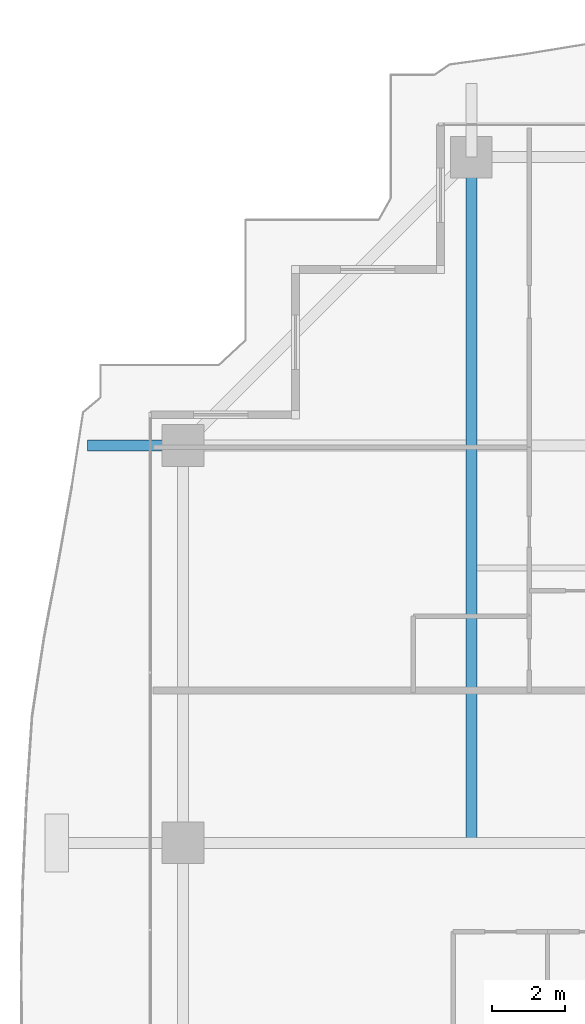
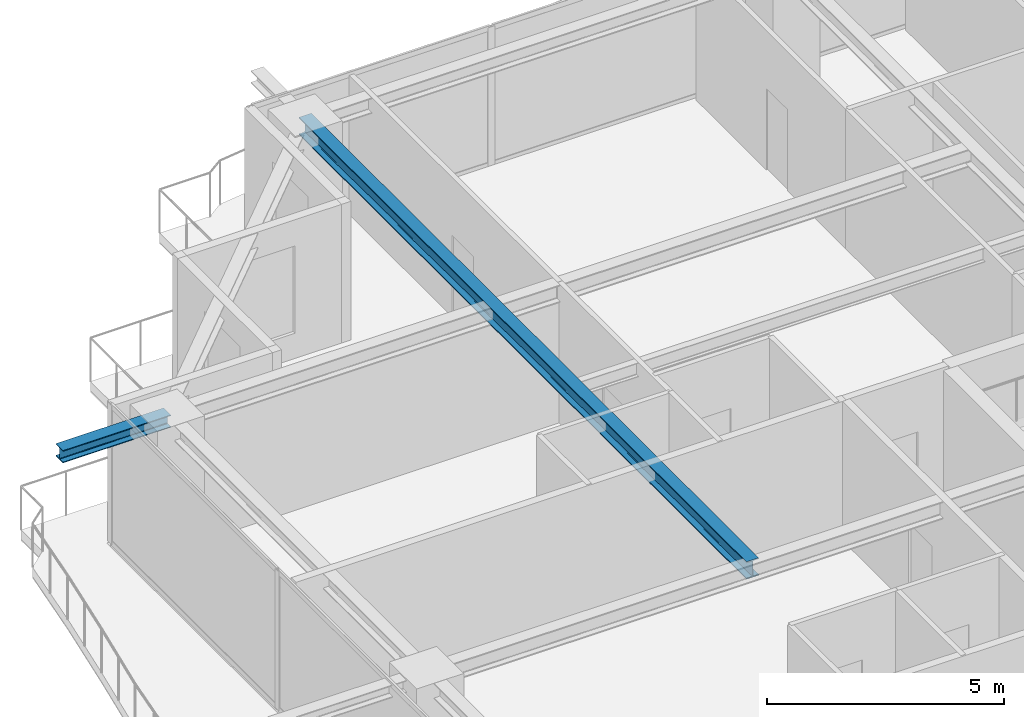
# One storey, part 18 of 39: 2 beams.
"""IFC4 building model written with IfcOpenShell, lengths in metres."""

from ifc_helpers import new_model, si_unit, direction, frame, origin, origin_2d, place, context, subcontext, project, spatial, i_section, extrude, source, transform, mapped, material, material_profile, profile_set, type_object, element, save


model = new_model("IFC4")

# Units and contexts
model_context = context("Model", 3, precision=1e-05, world=origin(), true_north=direction((0.0, 1.0)))
body_context = subcontext(model_context, "Body", "Model", "MODEL_VIEW")
ifc_project = project(units=[si_unit("LENGTHUNIT", "METRE"), si_unit("AREAUNIT", "SQUARE_METRE"), si_unit("VOLUMEUNIT", "CUBIC_METRE"), si_unit("PLANEANGLEUNIT", "RADIAN"), si_unit("MASSUNIT", "GRAM", prefix="KILO")], contexts=[model_context])

# Site, building, storey
site_placement = place(None, origin())
site = spatial("IfcSite", under=ifc_project, at=site_placement, CompositionType="ELEMENT")
building_placement = place(site_placement, origin())
building = spatial("IfcBuilding", under=site, at=building_placement, Name="Serunith Strait Residences", CompositionType="ELEMENT")
storey_placement = place(building_placement, frame((0.0, 0.0, 222.0)))
storey = spatial("IfcBuildingStorey", under=building, at=storey_placement, Name="L55", CompositionType="ELEMENT", Elevation=222.0)

# Beams
ifc_material = material(Name="Steel S355J2", Category="steel")
ifc_material_profile_1 = material_profile(ifc_material, i_section(OverallWidth=0.300048828125, OverallDepth=0.449951171875, WebThickness=0.013916015625, FlangeThickness=0.02587890625, FilletRadius=0.027099609375, at=origin_2d()), Name="HEB 450")
ifc_profile_set_1 = profile_set([ifc_material_profile_1], Name="Steel S355J2")
beam_type_1 = type_object("IfcBeamType", Name="BM-HEB450", PredefinedType="BEAM", material=ifc_profile_set_1)
shared_shape_1 = source(origin(), body_context, "Body", "SweptSolid", [
    extrude(i_section(OverallWidth=0.300048828125, OverallDepth=0.449951171875, WebThickness=0.013916015625, FlangeThickness=0.02587890625, FilletRadius=0.027099609375, at=origin_2d()), origin(), (0.0, 0.0, 1.0), 18.900146484375),
])
beam_1_placement = place(storey_placement, frame((16.25, 29.39990234375, 3.362060546875), z_axis=(0.0, 1.0, 0.0), x_axis=(-1.0, 0.0, 0.0)))
element("IfcBeam", 1, at=beam_1_placement, inside=storey, type_object=beam_type_1, Name="L55 Orthogonal Corner Girder TC-N1", PredefinedType="BEAM", context=body_context, shape_type="MappedRepresentation", body=[
    mapped(shared_shape_1, transform((0.0, 0.0, 0.0), scale=1.0)),
])
ifc_material_profile_2 = material_profile(ifc_material, i_section(OverallWidth=0.300048828125, OverallDepth=0.320068359375, WebThickness=0.011474609375, FlangeThickness=0.0205078125, FilletRadius=0.027099609375, at=origin_2d()), Name="HEB 320")
ifc_profile_set_2 = profile_set([ifc_material_profile_2], Name="Steel S355J2")
beam_type_2 = type_object("IfcBeamType", Name="BM-HEB320", PredefinedType="BEAM", material=ifc_profile_set_2)
shared_shape_2 = source(origin(), body_context, "Body", "SweptSolid", [
    extrude(i_section(OverallWidth=0.300048828125, OverallDepth=0.320068359375, WebThickness=0.011474609375, FlangeThickness=0.0205078125, FilletRadius=0.027099609375, at=origin_2d()), origin(), (0.0, 0.0, 1.0), 2.629150390625),
])
beam_2_placement = place(storey_placement, frame((8.300048828125, 40.35009765625, 3.39697265625), z_axis=(-1.0, 0.0, 0.0), x_axis=(0.0, -1.0, 0.0)))
element("IfcBeam", 2, at=beam_2_placement, inside=storey, type_object=beam_type_2, Name="L56 Cantilevered Balcony Rib TC-W4", PredefinedType="BEAM", context=body_context, shape_type="MappedRepresentation", body=[
    mapped(shared_shape_2, transform((0.0, 0.0, 0.0), scale=1.0)),
])

save(model, "model.ifc")
